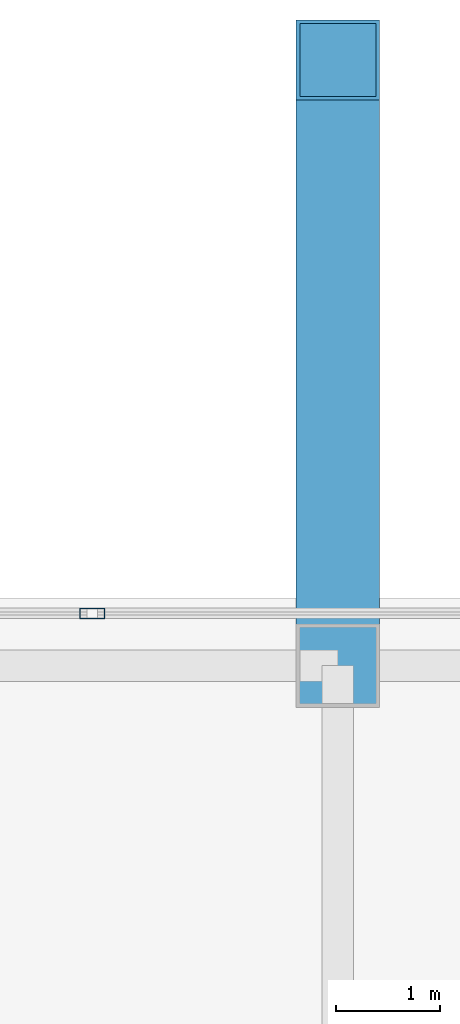
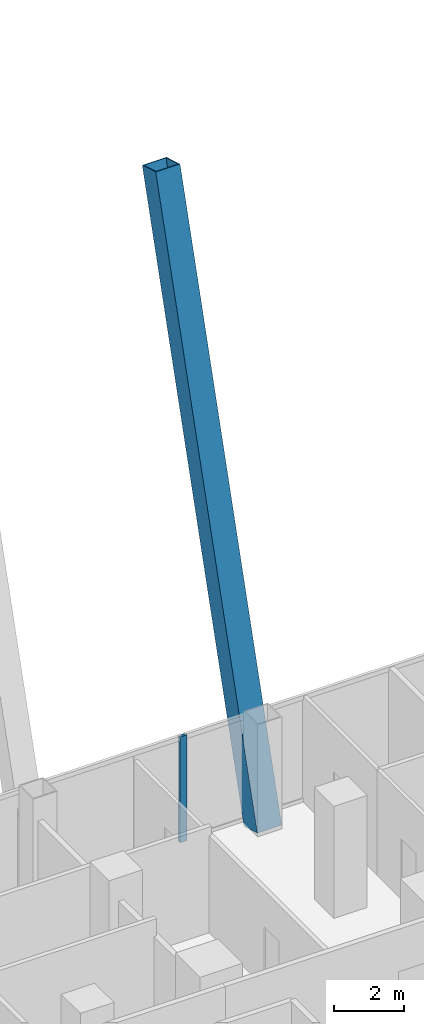
# One storey, part 17 of 33: 2 members, 1 element without a shape of its own.
"""IFC4 building model written with IfcOpenShell, lengths in metres."""

from ifc_helpers import new_model, si_unit, direction, frame, origin, origin_2d, place, context, subcontext, project, spatial, hollow_rectangle, extrude, material, layer, layer_set, material_profile, profile_set, type_object, element, aggregate, save


model = new_model("IFC4")

# Units and contexts
model_context = context("Model", 3, precision=1e-05, world=origin(), true_north=direction((0.0, 1.0)))
body_context = subcontext(model_context, "Body", "Model", "MODEL_VIEW")
ifc_project = project(units=[si_unit("LENGTHUNIT", "METRE"), si_unit("AREAUNIT", "SQUARE_METRE"), si_unit("VOLUMEUNIT", "CUBIC_METRE"), si_unit("PLANEANGLEUNIT", "RADIAN"), si_unit("MASSUNIT", "GRAM", prefix="KILO")], contexts=[model_context])

# Site, building, storey
site_placement = place(None, origin())
site = spatial("IfcSite", under=ifc_project, at=site_placement, CompositionType="ELEMENT")
building_placement = place(site_placement, origin())
building = spatial("IfcBuilding", under=site, at=building_placement, Name="Khorvyn Point Tower", CompositionType="ELEMENT")
storey_placement = place(building_placement, frame((0.0, 0.0, 65.699951171875)))
storey = spatial("IfcBuildingStorey", under=building, at=storey_placement, Name="L17", CompositionType="ELEMENT", Elevation=65.699951171875)

# Curtain wall, member
ifc_material_1 = material(Name="Anodised aluminium 6063-T6 and laminated Low-E glass", Category="aluminium")
ifc_layer = layer(ifc_material_1, 0.18994140625)
ifc_layer_set = layer_set([ifc_layer], Name="Stick-Built Finned Residential Curtain Wall CW-SYS-02")
curtain_wall_type = type_object("IfcCurtainWallType", Name="Stick-Built Finned Residential Curtain Wall CW-SYS-02", PredefinedType="NOTDEFINED", material=ifc_layer_set)
curtain_wall_placement = place(storey_placement, origin())
curtain_wall = element("IfcCurtainWall", 1, at=curtain_wall_placement, inside=storey, type_object=curtain_wall_type, Name="Curtain Wall", PredefinedType="NOTDEFINED")
ifc_material_2 = material(Name="Anodised aluminium 6063-T6", Category="aluminium")
ifc_material_profile_1 = material_profile(ifc_material_2, hollow_rectangle(XDim=0.10009765625, YDim=0.239990234375, WallThickness=0.0048828125, at=origin_2d()))
ifc_profile_set_1 = profile_set([ifc_material_profile_1], Name="Anodised aluminium 6063-T6 ALU-MUL-100x240")
member_type_1 = type_object("IfcMemberType", Name="Anodised Aluminium 6063-T6 Mullion ALU-MUL-100x240", PredefinedType="MULLION", material=ifc_profile_set_1)
member_1_placement = place(storey_placement, frame((-9.75, 25.050048828125, 0.0), z_axis=(0.0, 0.0, 1.0), x_axis=(0.0, 1.0, 0.0)))
member_1 = element("IfcMember", 2, at=member_1_placement, type_object=member_type_1, Name="Transom", PredefinedType="MULLION", context=body_context, shape_type="SweptSolid", body=[
    extrude(hollow_rectangle(XDim=0.10009765625, YDim=0.239990234375, WallThickness=0.0048828125, at=origin_2d()), origin(), (0.0, 0.0, 1.0), 3.679931640625),
])
aggregate(curtain_wall, [member_1])

# Member
ifc_material_3 = material(Name="Steel S450", Category="steel")
ifc_material_profile_2 = material_profile(ifc_material_3, hollow_rectangle(XDim=0.800048828125, YDim=0.800048828125, WallThickness=0.035888671875, at=origin_2d()))
ifc_profile_set_2 = profile_set([ifc_material_profile_2], Name="Steel S450 BOX800x800x36")
member_type_2 = type_object("IfcMemberType", Name="Steel S450 Exoskeleton Structural Post BOX800x800x36", PredefinedType="POST", material=ifc_profile_set_2)
member_2_placement = place(storey_placement, frame((-7.39990234375, 24.550048828125, 0.0), z_axis=(0.0, 0.285094530681, 0.958499404578), x_axis=(-1.0, 0.0, 0.0)))
element("IfcMember", 3, at=member_2_placement, inside=storey, type_object=member_type_2, Name="L17 to L21 Exoskeleton Transfer Post 08", PredefinedType="POST", context=body_context, shape_type="SweptSolid", body=[
    extrude(hollow_rectangle(XDim=0.800048828125, YDim=0.800048828125, WallThickness=0.035888671875, at=origin_2d()), origin(), (0.0, 0.0, 1.0), 20.34423828125),
])

save(model, "model.ifc")
